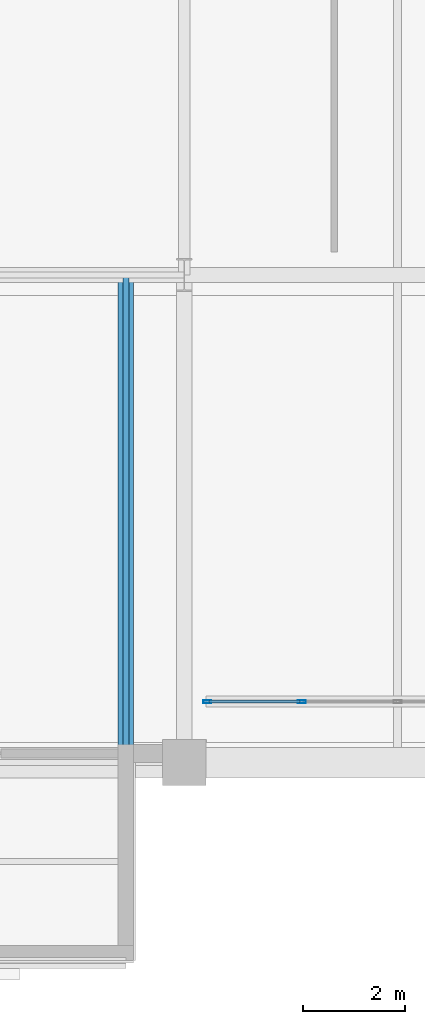
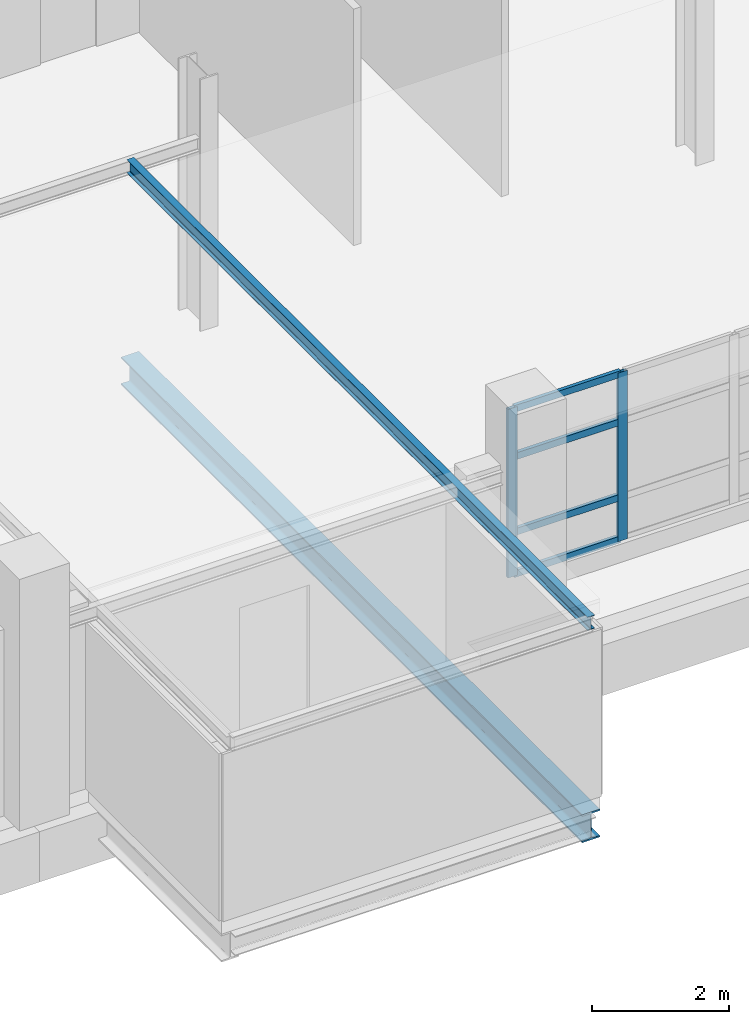
# One storey, part 26 of 130: 6 members, 2 beams, 1 element without a shape of its own.
"""IFC4 building model written with IfcOpenShell, lengths in metres."""

from ifc_helpers import new_model, si_unit, direction, frame, origin, origin_2d, place, context, subcontext, project, spatial, hollow_rectangle, i_section, extrude, material, material_profile, profile_set, type_object, element, aggregate, save


model = new_model("IFC4")

# Units and contexts
model_context = context("Model", 3, precision=1e-05, world=origin(), true_north=direction((0.0, 1.0)))
body_context = subcontext(model_context, "Body", "Model", "MODEL_VIEW")
ifc_project = project(units=[si_unit("LENGTHUNIT", "METRE"), si_unit("AREAUNIT", "SQUARE_METRE"), si_unit("VOLUMEUNIT", "CUBIC_METRE"), si_unit("PLANEANGLEUNIT", "RADIAN"), si_unit("MASSUNIT", "GRAM", prefix="KILO")], contexts=[model_context])

# Site, building, storey
site_placement = place(None, origin())
site = spatial("IfcSite", under=ifc_project, at=site_placement, CompositionType="ELEMENT")
building_placement = place(site_placement, origin())
building = spatial("IfcBuilding", under=site, at=building_placement, Name="Veltarok Museum of Natural Sciences", CompositionType="ELEMENT")
storey_placement = place(building_placement, frame((0.0, 0.0, 12.89990234375)))
storey = spatial("IfcBuildingStorey", under=building, at=storey_placement, Name="L02", CompositionType="ELEMENT", Elevation=12.89990234375)

# Beams
ifc_material_1 = material(Name="Steel S355J2", Category="steel")
ifc_material_profile_1 = material_profile(ifc_material_1, i_section(OverallWidth=0.300048828125, OverallDepth=0.5, WebThickness=0.014404296875, FlangeThickness=0.028076171875, FilletRadius=0.027099609375, at=origin_2d()), Name="HEB 500")
ifc_profile_set_1 = profile_set([ifc_material_profile_1], Name="Steel S355J2")
beam_type_1 = type_object("IfcBeamType", Name="Cabinet Box Cantilever Girder HEB 500", PredefinedType="BEAM", material=ifc_profile_set_1)
beam_1_placement = place(storey_placement, frame((47.25, -3.89990234375, -0.5), z_axis=(0.0, 1.0, 0.0), x_axis=(-1.0, 0.0, 0.0)))
element("IfcBeam", 1, at=beam_1_placement, inside=storey, type_object=beam_type_1, Name="Cabinet Cantilever Girder DB-07-2", PredefinedType="BEAM", context=body_context, shape_type="SweptSolid", body=[
    extrude(i_section(OverallWidth=0.300048828125, OverallDepth=0.5, WebThickness=0.014404296875, FlangeThickness=0.028076171875, FilletRadius=0.027099609375, at=origin_2d()), origin(), (0.0, 0.0, 1.0), 13.5),
])
ifc_material_profile_2 = material_profile(ifc_material_1, i_section(OverallWidth=0.1201171875, OverallDepth=0.239990234375, WebThickness=0.006103515625, FlangeThickness=0.009765625, FilletRadius=0.014892578125, at=origin_2d()), Name="IPE 240")
ifc_profile_set_2 = profile_set([ifc_material_profile_2], Name="Steel S355J2")
beam_type_2 = type_object("IfcBeamType", Name="Cabinet Box Secondary Joist IPE 240", PredefinedType="JOIST", material=ifc_profile_set_2)
beam_2_placement = place(storey_placement, frame((47.25, -3.89990234375, 3.130126953125), z_axis=(0.0, 1.0, 0.0), x_axis=(-1.0, 0.0, 0.0)))
element("IfcBeam", 2, at=beam_2_placement, inside=storey, type_object=beam_type_2, Name="Cabinet Roof Rafter DB-07-2", PredefinedType="JOIST", context=body_context, shape_type="SweptSolid", body=[
    extrude(i_section(OverallWidth=0.1201171875, OverallDepth=0.239990234375, WebThickness=0.006103515625, FlangeThickness=0.009765625, FilletRadius=0.014892578125, at=origin_2d()), origin(), (0.0, 0.0, 1.0), 13.5),
])

# Curtain wall, members
ifc_material_2 = material(Name="Low-iron triple insulated glass", Category="glass")
curtain_wall_type = type_object("IfcCurtainWallType", Name="Curtain Wall System CW-CAB-L02-A-755x301 (V1 Recessed L02 755x301cm)", PredefinedType="NOTDEFINED", material=ifc_material_2)
curtain_wall_placement = place(storey_placement, origin())
curtain_wall = element("IfcCurtainWall", 3, at=curtain_wall_placement, inside=storey, type_object=curtain_wall_type, Name="Curtain Wall CW-CAB-L02-A-755x301 CW-0003", PredefinedType="NOTDEFINED")
ifc_material_3 = material(Name="Thermally broken anodised aluminium", Category="aluminium")
ifc_material_profile_3 = material_profile(ifc_material_3, hollow_rectangle(XDim=0.06005859375, YDim=0.1201171875, WallThickness=0.0048828125, at=origin_2d()), Name="CW TRANSOM 60x120x5")
ifc_profile_set_3 = profile_set([ifc_material_profile_3], Name="Thermally broken anodised aluminium")
member_type_1 = type_object("IfcMemberType", Name="Curtain Wall Horizontal Transom 60x120x5", PredefinedType="USERDEFINED", material=ifc_profile_set_3)
member_1_placement = place(storey_placement, frame((48.885009765625, 1.199951171875, 0.35009765625), z_axis=(1.0, 0.0, 0.0), x_axis=(0.0, 1.0, 0.0)))
member_1 = element("IfcMember", 4, at=member_1_placement, type_object=member_type_1, Name="CW-CAB-L02-A-755x301 transom 1.1", ObjectType="TRANSOM", PredefinedType="USERDEFINED", context=body_context, shape_type="SweptSolid", body=[
    extrude(hollow_rectangle(XDim=0.06005859375, YDim=0.1201171875, WallThickness=0.0048828125, at=origin_2d()), origin(), (0.0, 0.0, 1.0), 1.797607421875),
])
member_2_placement = place(storey_placement, frame((48.885009765625, 1.199951171875, 1.10009765625), z_axis=(1.0, 0.0, 0.0), x_axis=(0.0, 1.0, 0.0)))
member_2 = element("IfcMember", 5, at=member_2_placement, type_object=member_type_1, Name="CW-CAB-L02-A-755x301 transom 1.2", ObjectType="TRANSOM", PredefinedType="USERDEFINED", context=body_context, shape_type="SweptSolid", body=[
    extrude(hollow_rectangle(XDim=0.06005859375, YDim=0.1201171875, WallThickness=0.0048828125, at=origin_2d()), origin(), (0.0, 0.0, 1.0), 1.797607421875),
])
member_3_placement = place(storey_placement, frame((48.885009765625, 1.199951171875, 2.4501953125), z_axis=(1.0, 0.0, 0.0), x_axis=(0.0, 1.0, 0.0)))
member_3 = element("IfcMember", 6, at=member_3_placement, type_object=member_type_1, Name="CW-CAB-L02-A-755x301 transom 1.3", ObjectType="TRANSOM", PredefinedType="USERDEFINED", context=body_context, shape_type="SweptSolid", body=[
    extrude(hollow_rectangle(XDim=0.06005859375, YDim=0.1201171875, WallThickness=0.0048828125, at=origin_2d()), origin(), (0.0, 0.0, 1.0), 1.797607421875),
])
member_4_placement = place(storey_placement, frame((48.885009765625, 1.199951171875, 3.30517578125), z_axis=(1.0, 0.0, 0.0), x_axis=(0.0, 1.0, 0.0)))
member_4 = element("IfcMember", 7, at=member_4_placement, type_object=member_type_1, Name="CW-CAB-L02-A-755x301 transom 1.4", ObjectType="TRANSOM", PredefinedType="USERDEFINED", context=body_context, shape_type="SweptSolid", body=[
    extrude(hollow_rectangle(XDim=0.06005859375, YDim=0.1201171875, WallThickness=0.0048828125, at=origin_2d()), origin(), (0.0, 0.0, 1.0), 1.797607421875),
])
ifc_material_profile_4 = material_profile(ifc_material_3, hollow_rectangle(XDim=0.06005859375, YDim=0.159912109375, WallThickness=0.0048828125, at=origin_2d()), Name="CW MULLION 60x160x5")
ifc_profile_set_4 = profile_set([ifc_material_profile_4], Name="Thermally broken anodised aluminium")
member_type_2 = type_object("IfcMemberType", Name="Curtain Wall Vertical Mullion 60x160x5", PredefinedType="MULLION", material=ifc_profile_set_4)
member_5_placement = place(storey_placement, frame((48.85498046875, 1.199951171875, 0.320068359375), z_axis=(0.0, 0.0, 1.0), x_axis=(0.0, 1.0, 0.0)))
member_5 = element("IfcMember", 8, at=member_5_placement, type_object=member_type_2, Name="CW-CAB-L02-A-755x301 mullion 1", PredefinedType="MULLION", context=body_context, shape_type="SweptSolid", body=[
    extrude(hollow_rectangle(XDim=0.06005859375, YDim=0.159912109375, WallThickness=0.0048828125, at=origin_2d()), origin(), (0.0, 0.0, 1.0), 3.01513671875),
])
member_6_placement = place(storey_placement, frame((50.71240234375, 1.199951171875, 0.320068359375), z_axis=(0.0, 0.0, 1.0), x_axis=(0.0, 1.0, 0.0)))
member_6 = element("IfcMember", 9, at=member_6_placement, type_object=member_type_2, Name="CW-CAB-L02-A-755x301 mullion 2", PredefinedType="MULLION", context=body_context, shape_type="SweptSolid", body=[
    extrude(hollow_rectangle(XDim=0.06005859375, YDim=0.159912109375, WallThickness=0.0048828125, at=origin_2d()), origin(), (0.0, 0.0, 1.0), 3.01513671875),
])
aggregate(curtain_wall, [member_5, member_6, member_1, member_2, member_3, member_4])

save(model, "model.ifc")
